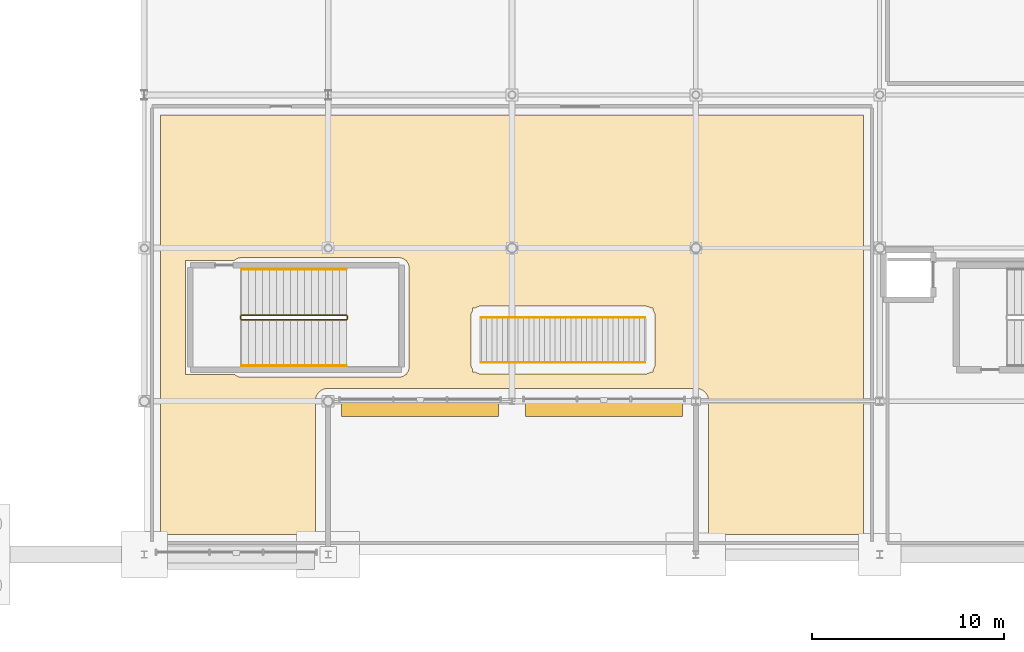
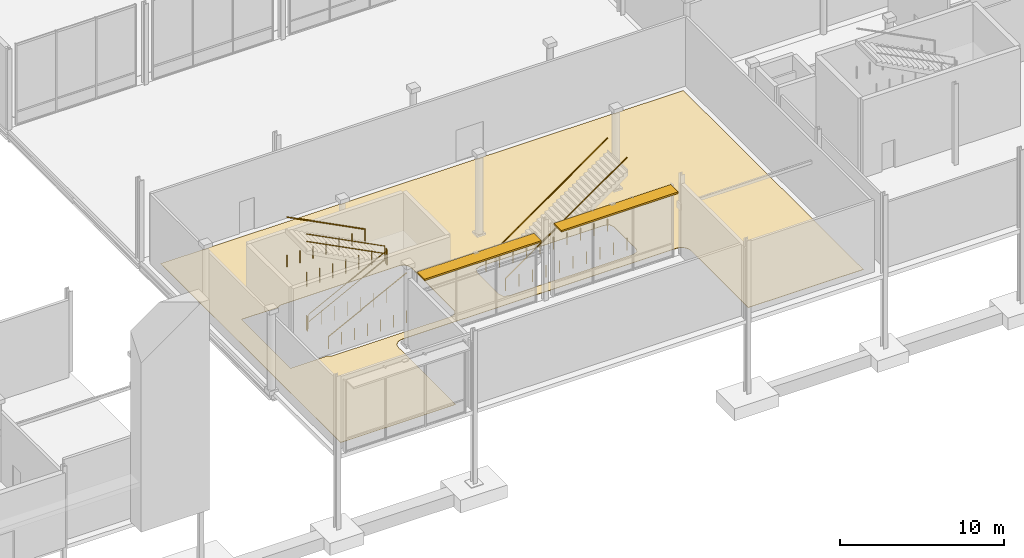
# One storey, part 114 of 124: 8 railings, 2 shading devices, 1 covering.
"""IFC4 building model written with IfcOpenShell, lengths in metres."""

from ifc_helpers import new_model, si_unit, direction, frame, origin, origin_2d, place, context, subcontext, project, spatial, polyline, rectangle, circle, outline, extrude, material, layer, layer_set, type_object, element, save


model = new_model("IFC4")

# Units and contexts
model_context = context("Model", 3, precision=1e-05, world=origin(), true_north=direction((0.0, 1.0)))
body_context = subcontext(model_context, "Body", "Model", "MODEL_VIEW")
ifc_project = project(units=[si_unit("LENGTHUNIT", "METRE"), si_unit("AREAUNIT", "SQUARE_METRE"), si_unit("VOLUMEUNIT", "CUBIC_METRE"), si_unit("PLANEANGLEUNIT", "RADIAN"), si_unit("MASSUNIT", "GRAM", prefix="KILO")], contexts=[model_context])

# Site, building, storey
site_placement = place(None, origin())
site = spatial("IfcSite", under=ifc_project, at=site_placement, CompositionType="ELEMENT")
building_placement = place(site_placement, origin())
building = spatial("IfcBuilding", under=site, at=building_placement, Name="Danafjord Basin Convention Centre", CompositionType="ELEMENT")
storey_placement = place(building_placement, origin())
storey = spatial("IfcBuildingStorey", under=building, at=storey_placement, Name="L00", CompositionType="ELEMENT", Elevation=0.0)

# Covering
ifc_material_1 = material(Name="Engineered Nordic white oak parquet")
ifc_layer = layer(ifc_material_1, 0.02490234375)
ifc_layer_set = layer_set([ifc_layer], Name="Engineered Nordic white oak parquet")
covering_type = type_object("IfcCoveringType", Name="COV-FLR-OAK01", PredefinedType="FLOORING", material=ifc_layer_set)
covering_placement = place(storey_placement, origin())
element("IfcCovering", 1, at=covering_placement, inside=storey, type_object=covering_type, Name="Harbourfront Brasserie and Delegate Cafe finish flooring", PredefinedType="FLOORING", context=body_context, shape_type="SweptSolid", body=[
    extrude(outline(polyline([(181.550048828125, 22.949951171875), (181.550048828125, 1.050048828125), (173.469970703125, 1.050048828125), (173.469970703125, 8.0), (173.469970703125, 8.02001953125), (173.468994140625, 8.0419921875), (173.464111328125, 8.0859375), (173.4609375, 8.10693359375), (173.4541015625, 8.14697265625), (173.448974609375, 8.16796875), (173.428955078125, 8.23095703125), (173.4208984375, 8.2509765625), (173.4130859375, 8.26904296875), (173.404052734375, 8.2890625), (173.3779296875, 8.339111328125), (173.366943359375, 8.35693359375), (173.347900390625, 8.385009765625), (173.3349609375, 8.403076171875), (173.30908203125, 8.43603515625), (173.294921875, 8.451904296875), (173.251953125, 8.4951171875), (173.236083984375, 8.509033203125), (173.202880859375, 8.534912109375), (173.18505859375, 8.548095703125), (173.156982421875, 8.56689453125), (173.138916015625, 8.577880859375), (173.089111328125, 8.60400390625), (173.069091796875, 8.613037109375), (173.051025390625, 8.62109375), (173.031005859375, 8.62890625), (172.968017578125, 8.64892578125), (172.947021484375, 8.654052734375), (172.906982421875, 8.660888671875), (172.885986328125, 8.6640625), (172.842041015625, 8.6689453125), (172.820068359375, 8.669921875), (172.800048828125, 8.669921875), (153.60009765625, 8.669921875), (153.580078125, 8.669921875), (153.55810546875, 8.6689453125), (153.513916015625, 8.6640625), (153.492919921875, 8.660888671875), (153.452880859375, 8.654052734375), (153.431884765625, 8.64892578125), (153.368896484375, 8.62890625), (153.34912109375, 8.62109375), (153.3310546875, 8.613037109375), (153.31103515625, 8.60400390625), (153.260986328125, 8.577880859375), (153.242919921875, 8.56689453125), (153.215087890625, 8.548095703125), (153.197021484375, 8.534912109375), (153.1640625, 8.509033203125), (153.14794921875, 8.4951171875), (153.10498046875, 8.451904296875), (153.091064453125, 8.43603515625), (153.06494140625, 8.403076171875), (153.052001953125, 8.385009765625), (153.032958984375, 8.35693359375), (153.02197265625, 8.339111328125), (152.99609375, 8.2890625), (152.987060546875, 8.26904296875), (152.97900390625, 8.2509765625), (152.970947265625, 8.23095703125), (152.950927734375, 8.16796875), (152.946044921875, 8.14697265625), (152.93896484375, 8.10693359375), (152.93603515625, 8.0859375), (152.930908203125, 8.0419921875), (152.929931640625, 8.02001953125), (152.929931640625, 8.0), (152.929931640625, 1.050048828125), (144.85009765625, 1.050048828125), (144.85009765625, 22.949951171875), (181.550048828125, 22.949951171875)]), holes=[polyline([(170.3349609375, 9.467041015625), (170.384033203125, 9.489990234375), (170.430908203125, 9.51806640625), (170.43994140625, 9.52490234375), (170.574951171875, 9.52490234375), (170.574951171875, 9.659912109375), (170.58203125, 9.6689453125), (170.610107421875, 9.716064453125), (170.633056640625, 9.764892578125), (170.65087890625, 9.81494140625), (170.6640625, 9.867919921875), (170.672119140625, 9.9208984375), (170.675048828125, 9.97509765625), (170.675048828125, 12.425048828125), (170.672119140625, 12.47900390625), (170.6640625, 12.531982421875), (170.65087890625, 12.5849609375), (170.633056640625, 12.635009765625), (170.610107421875, 12.68408203125), (170.58203125, 12.73095703125), (170.574951171875, 12.739990234375), (170.574951171875, 12.875), (170.43994140625, 12.875), (170.430908203125, 12.882080078125), (170.384033203125, 12.909912109375), (170.3349609375, 12.93310546875), (170.284912109375, 12.950927734375), (170.23193359375, 12.964111328125), (170.178955078125, 12.971923828125), (170.125, 12.97509765625), (161.60009765625, 12.97509765625), (161.5458984375, 12.971923828125), (161.492919921875, 12.964111328125), (161.43994140625, 12.950927734375), (161.389892578125, 12.93310546875), (161.341064453125, 12.909912109375), (161.2939453125, 12.882080078125), (161.284912109375, 12.875), (161.14990234375, 12.875), (161.14990234375, 12.739990234375), (161.14306640625, 12.73095703125), (161.114990234375, 12.68408203125), (161.092041015625, 12.635009765625), (161.073974609375, 12.5849609375), (161.06103515625, 12.531982421875), (161.052978515625, 12.47900390625), (161.050048828125, 12.425048828125), (161.050048828125, 9.97509765625), (161.052978515625, 9.9208984375), (161.06103515625, 9.867919921875), (161.073974609375, 9.81494140625), (161.092041015625, 9.764892578125), (161.114990234375, 9.716064453125), (161.14306640625, 9.6689453125), (161.14990234375, 9.659912109375), (161.14990234375, 9.52490234375), (161.284912109375, 9.52490234375), (161.2939453125, 9.51806640625), (161.341064453125, 9.489990234375), (161.389892578125, 9.467041015625), (161.43994140625, 9.448974609375), (161.492919921875, 9.43603515625), (161.5458984375, 9.427978515625), (161.60009765625, 9.425048828125), (170.125, 9.425048828125), (170.178955078125, 9.427978515625), (170.23193359375, 9.43603515625), (170.284912109375, 9.448974609375), (170.3349609375, 9.467041015625)]), polyline([(148.821044921875, 9.324951171875), (148.8701171875, 9.302001953125), (148.919921875, 9.283935546875), (148.972900390625, 9.27099609375), (149.02587890625, 9.262939453125), (149.080078125, 9.260009765625), (157.280029296875, 9.260009765625), (157.333984375, 9.262939453125), (157.386962890625, 9.27099609375), (157.43994140625, 9.283935546875), (157.489990234375, 9.302001953125), (157.5390625, 9.324951171875), (157.5859375, 9.35302734375), (157.62890625, 9.385009765625), (157.64599609375, 9.39990234375), (157.68994140625, 9.39990234375), (157.68994140625, 9.444091796875), (157.705078125, 9.4609375), (157.737060546875, 9.50390625), (157.764892578125, 9.551025390625), (157.7880859375, 9.60009765625), (157.805908203125, 9.64990234375), (157.819091796875, 9.702880859375), (157.826904296875, 9.756103515625), (157.830078125, 9.81005859375), (157.830078125, 14.949951171875), (157.826904296875, 15.00390625), (157.819091796875, 15.056884765625), (157.805908203125, 15.110107421875), (157.7880859375, 15.159912109375), (157.764892578125, 15.208984375), (157.737060546875, 15.256103515625), (157.705078125, 15.299072265625), (157.68994140625, 15.31591796875), (157.68994140625, 15.360107421875), (157.64599609375, 15.360107421875), (157.62890625, 15.375), (157.5859375, 15.406982421875), (157.5390625, 15.43505859375), (157.489990234375, 15.4580078125), (157.43994140625, 15.47607421875), (157.386962890625, 15.489013671875), (157.333984375, 15.4970703125), (157.280029296875, 15.5), (149.080078125, 15.5), (149.02587890625, 15.4970703125), (148.972900390625, 15.489013671875), (148.919921875, 15.47607421875), (148.8701171875, 15.4580078125), (148.821044921875, 15.43505859375), (148.77392578125, 15.406982421875), (148.73095703125, 15.375), (148.714111328125, 15.360107421875), (146.14990234375, 15.360107421875), (146.14990234375, 9.39990234375), (148.714111328125, 9.39990234375), (148.73095703125, 9.385009765625), (148.77392578125, 9.35302734375), (148.821044921875, 9.324951171875)])]), origin(), (0.0, 0.0, 1.0), 0.02490234375),
])

# Railings
ifc_material_2 = material(Name="Galvanised steel S355", Category="steel")
railing_type_1 = type_object("IfcRailingType", Name="RL-GD-WELL", PredefinedType="BALUSTRADE", material=ifc_material_2)
railing_1_placement = place(storey_placement, frame((149.080078125, 12.260009765625, 0.1875)))
element("IfcRailing", 2, at=railing_1_placement, inside=storey, type_object=railing_type_1, Name="L00 ST-16 stair guard 1", PredefinedType="BALUSTRADE", context=body_context, shape_type="SweptSolid", body=[
    extrude(circle(Radius=0.02392578125, at=origin_2d()), frame((0.0, 0.0, 1.076171875), z_axis=(0.889495128042, 0.0, 0.456944654405), x_axis=(0.0, 1.0, 0.0)), (0.0, 0.0, 1.0), 6.155029296875),
    extrude(circle(Radius=0.02392578125, at=origin_2d()), frame((0.0, 0.0, 0.52587890625), z_axis=(0.889495128042, 0.0, 0.456944654405), x_axis=(0.0, 1.0, 0.0)), (0.0, 0.0, 1.0), 6.155029296875),
    extrude(circle(Radius=0.02099609375, at=origin_2d()), origin(), (0.0, 0.0, 1.0), 1.050048828125),
    extrude(circle(Radius=0.02099609375, at=origin_2d()), frame((0.91259765625, 0.0, 0.0)), (0.0, 0.0, 1.0), 1.050048828125),
    extrude(circle(Radius=0.02099609375, at=origin_2d()), frame((1.824951171875, 0.0, 0.0)), (0.0, 0.0, 1.0), 1.050048828125),
    extrude(circle(Radius=0.02099609375, at=origin_2d()), frame((2.7373046875, 0.0, 0.0)), (0.0, 0.0, 1.0), 1.050048828125),
    extrude(circle(Radius=0.02099609375, at=origin_2d()), frame((3.64990234375, 0.0, 0.0)), (0.0, 0.0, 1.0), 1.050048828125),
    extrude(circle(Radius=0.02099609375, at=origin_2d()), frame((4.5625, 0.0, 0.0)), (0.0, 0.0, 1.0), 1.050048828125),
    extrude(circle(Radius=0.02099609375, at=origin_2d()), frame((5.474853515625, 0.0, 0.0)), (0.0, 0.0, 1.0), 1.050048828125),
])
railing_2_placement = place(storey_placement, frame((154.60498046875, 12.31005859375, 3.0)))
element("IfcRailing", 3, at=railing_2_placement, inside=storey, type_object=railing_type_1, Name="L00 ST-16 stair guard 2", PredefinedType="BALUSTRADE", context=body_context, shape_type="SweptSolid", body=[
    extrude(circle(Radius=0.02392578125, at=origin_2d()), frame((0.0, 0.0, 1.076171875), z_axis=(0.0, 1.0, 0.0), x_axis=(-1.0, 0.0, 0.0)), (0.0, 0.0, 1.0), 0.139892578125),
    extrude(circle(Radius=0.02392578125, at=origin_2d()), frame((0.0, 0.0, 0.52587890625), z_axis=(0.0, 1.0, 0.0), x_axis=(-1.0, 0.0, 0.0)), (0.0, 0.0, 1.0), 0.139892578125),
    extrude(circle(Radius=0.02099609375, at=origin_2d()), origin(), (0.0, 0.0, 1.0), 1.050048828125),
    extrude(circle(Radius=0.02099609375, at=origin_2d()), frame((0.0, 0.139892578125, 0.0)), (0.0, 0.0, 1.0), 1.050048828125),
])
railing_3_placement = place(storey_placement, frame((154.554931640625, 12.5, 3.1875)))
element("IfcRailing", 4, at=railing_3_placement, inside=storey, type_object=railing_type_1, Name="L00 ST-16 stair guard 3", PredefinedType="BALUSTRADE", context=body_context, shape_type="SweptSolid", body=[
    extrude(circle(Radius=0.02392578125, at=origin_2d()), frame((0.0, 0.0, 1.076171875), z_axis=(-0.889495128042, 0.0, 0.456944654405), x_axis=(0.0, -1.0, 0.0)), (0.0, 0.0, 1.0), 6.155029296875),
    extrude(circle(Radius=0.02392578125, at=origin_2d()), frame((0.0, 0.0, 0.52587890625), z_axis=(-0.889495128042, 0.0, 0.456944654405), x_axis=(0.0, -1.0, 0.0)), (0.0, 0.0, 1.0), 6.155029296875),
    extrude(circle(Radius=0.02099609375, at=origin_2d()), origin(), (0.0, 0.0, 1.0), 1.050048828125),
    extrude(circle(Radius=0.02099609375, at=origin_2d()), frame((-0.91259765625, 0.0, 0.0)), (0.0, 0.0, 1.0), 1.050048828125),
    extrude(circle(Radius=0.02099609375, at=origin_2d()), frame((-1.824951171875, 0.0, 0.0)), (0.0, 0.0, 1.0), 1.050048828125),
    extrude(circle(Radius=0.02099609375, at=origin_2d()), frame((-2.7373046875, 0.0, 0.0)), (0.0, 0.0, 1.0), 1.050048828125),
    extrude(circle(Radius=0.02099609375, at=origin_2d()), frame((-3.64990234375, 0.0, 0.0)), (0.0, 0.0, 1.0), 1.050048828125),
    extrude(circle(Radius=0.02099609375, at=origin_2d()), frame((-4.5625, 0.0, 0.0)), (0.0, 0.0, 1.0), 1.050048828125),
    extrude(circle(Radius=0.02099609375, at=origin_2d()), frame((-5.474853515625, 0.0, 0.0)), (0.0, 0.0, 1.0), 1.050048828125),
])
railing_4_placement = place(storey_placement, frame((149.030029296875, 12.31005859375, 0.0)))
element("IfcRailing", 5, at=railing_4_placement, inside=storey, type_object=railing_type_1, Name="L00 ST-16 stair guard 4", PredefinedType="BALUSTRADE", context=body_context, shape_type="SweptSolid", body=[
    extrude(circle(Radius=0.02392578125, at=origin_2d()), frame((0.0, 0.0, 1.076171875), z_axis=(0.0, 1.0, 0.0), x_axis=(-1.0, 0.0, 0.0)), (0.0, 0.0, 1.0), 0.139892578125),
    extrude(circle(Radius=0.02392578125, at=origin_2d()), frame((0.0, 0.0, 0.52587890625), z_axis=(0.0, 1.0, 0.0), x_axis=(-1.0, 0.0, 0.0)), (0.0, 0.0, 1.0), 0.139892578125),
    extrude(circle(Radius=0.02099609375, at=origin_2d()), origin(), (0.0, 0.0, 1.0), 1.050048828125),
    extrude(circle(Radius=0.02099609375, at=origin_2d()), frame((0.0, 0.139892578125, 0.0)), (0.0, 0.0, 1.0), 1.050048828125),
])
ifc_material_3 = material(Name="Brushed stainless steel EN 1.4404", Category="steel")
railing_type_2 = type_object("IfcRailingType", Name="RL-HR-STAIR", PredefinedType="HANDRAIL", material=ifc_material_3)
railing_5_placement = place(storey_placement, frame((149.080078125, 9.860107421875, 0.1875)))
element("IfcRailing", 6, at=railing_5_placement, inside=storey, type_object=railing_type_2, Name="L00 ST-16 stair handrail 1", PredefinedType="HANDRAIL", context=body_context, shape_type="SweptSolid", body=[
    extrude(circle(Radius=0.02392578125, at=origin_2d()), frame((0.0, 0.0, 0.8759765625), z_axis=(0.889495128042, 0.0, 0.456944654405), x_axis=(0.0, 1.0, 0.0)), (0.0, 0.0, 1.0), 6.155029296875),
    extrude(circle(Radius=0.02099609375, at=origin_2d()), origin(), (0.0, 0.0, 1.0), 0.849853515625),
    extrude(circle(Radius=0.02099609375, at=origin_2d()), frame((0.91259765625, 0.0, 0.0)), (0.0, 0.0, 1.0), 0.849853515625),
    extrude(circle(Radius=0.02099609375, at=origin_2d()), frame((1.824951171875, 0.0, 0.0)), (0.0, 0.0, 1.0), 0.849853515625),
    extrude(circle(Radius=0.02099609375, at=origin_2d()), frame((2.7373046875, 0.0, 0.0)), (0.0, 0.0, 1.0), 0.849853515625),
    extrude(circle(Radius=0.02099609375, at=origin_2d()), frame((3.64990234375, 0.0, 0.0)), (0.0, 0.0, 1.0), 0.849853515625),
    extrude(circle(Radius=0.02099609375, at=origin_2d()), frame((4.5625, 0.0, 0.0)), (0.0, 0.0, 1.0), 0.849853515625),
    extrude(circle(Radius=0.02099609375, at=origin_2d()), frame((5.474853515625, 0.0, 0.0)), (0.0, 0.0, 1.0), 0.849853515625),
])
railing_6_placement = place(storey_placement, frame((154.554931640625, 14.89990234375, 3.1875)))
element("IfcRailing", 7, at=railing_6_placement, inside=storey, type_object=railing_type_2, Name="L00 ST-16 stair handrail 2", PredefinedType="HANDRAIL", context=body_context, shape_type="SweptSolid", body=[
    extrude(circle(Radius=0.02392578125, at=origin_2d()), frame((0.0, 0.0, 0.8759765625), z_axis=(-0.889495128042, 0.0, 0.456944654405), x_axis=(0.0, -1.0, 0.0)), (0.0, 0.0, 1.0), 6.155029296875),
    extrude(circle(Radius=0.02099609375, at=origin_2d()), origin(), (0.0, 0.0, 1.0), 0.849853515625),
    extrude(circle(Radius=0.02099609375, at=origin_2d()), frame((-0.91259765625, 0.0, 0.0)), (0.0, 0.0, 1.0), 0.849853515625),
    extrude(circle(Radius=0.02099609375, at=origin_2d()), frame((-1.824951171875, 0.0, 0.0)), (0.0, 0.0, 1.0), 0.849853515625),
    extrude(circle(Radius=0.02099609375, at=origin_2d()), frame((-2.7373046875, 0.0, 0.0)), (0.0, 0.0, 1.0), 0.849853515625),
    extrude(circle(Radius=0.02099609375, at=origin_2d()), frame((-3.64990234375, 0.0, 0.0)), (0.0, 0.0, 1.0), 0.849853515625),
    extrude(circle(Radius=0.02099609375, at=origin_2d()), frame((-4.5625, 0.0, 0.0)), (0.0, 0.0, 1.0), 0.849853515625),
    extrude(circle(Radius=0.02099609375, at=origin_2d()), frame((-5.474853515625, 0.0, 0.0)), (0.0, 0.0, 1.0), 0.849853515625),
])
for number, where, name in (
    (8, (161.60009765625, 12.375, 0.0), "Harbour Brasserie Gallery Stair handrail L"),
    (9, (161.60009765625, 10.02490234375, 0.0), "Harbour Brasserie Gallery Stair handrail R"),
):
    element("IfcRailing", number, at=place(storey_placement, frame(where)), inside=storey, type_object=railing_type_2, Name=name, PredefinedType="HANDRAIL", context=body_context, shape_type="SweptSolid", body=[
        extrude(circle(Radius=0.02392578125, at=origin_2d()), frame((0.0, 0.0, 0.89599609375), z_axis=(0.817761511564, 0.0, 0.575557217143), x_axis=(0.0, 1.0, 0.0)), (0.0, 0.0, 1.0), 10.424560546875),
        extrude(circle(Radius=0.02099609375, at=origin_2d()), origin(), (0.0, 0.0, 1.0), 0.869873046875),
        extrude(circle(Radius=0.02099609375, at=origin_2d()), frame((0.947265625, 0.0, 0.0)), (0.0, 0.0, 1.0), 0.869873046875),
        extrude(circle(Radius=0.02099609375, at=origin_2d()), frame((1.89453125, 0.0, 0.0)), (0.0, 0.0, 1.0), 0.869873046875),
        extrude(circle(Radius=0.02099609375, at=origin_2d()), frame((2.841552734375, 0.0, 0.0)), (0.0, 0.0, 1.0), 0.869873046875),
        extrude(circle(Radius=0.02099609375, at=origin_2d()), frame((3.788818359375, 0.0, 0.0)), (0.0, 0.0, 1.0), 0.869873046875),
        extrude(circle(Radius=0.02099609375, at=origin_2d()), frame((4.736083984375, 0.0, 0.0)), (0.0, 0.0, 1.0), 0.869873046875),
        extrude(circle(Radius=0.02099609375, at=origin_2d()), frame((5.683349609375, 0.0, 0.0)), (0.0, 0.0, 1.0), 0.869873046875),
        extrude(circle(Radius=0.02099609375, at=origin_2d()), frame((6.63037109375, 0.0, 0.0)), (0.0, 0.0, 1.0), 0.869873046875),
        extrude(circle(Radius=0.02099609375, at=origin_2d()), frame((7.57763671875, 0.0, 0.0)), (0.0, 0.0, 1.0), 0.869873046875),
        extrude(circle(Radius=0.02099609375, at=origin_2d()), frame((8.52490234375, 0.0, 0.0)), (0.0, 0.0, 1.0), 0.869873046875),
    ])

# Shading devices
ifc_material_4 = material(Name="Anodised aluminium aerofoil sunshade", Category="aluminium")
shading_device_type = type_object("IfcShadingDeviceType", Name="SHD-SUN-A", PredefinedType="USERDEFINED", material=ifc_material_4)
for number, where, z_axis, x_axis, name in (
    (10, (158.39990234375, 7.659912109375, 4.97998046875), (0.0, 0.0, 1.0), (1.0, 0.0, 0.0), "L00 cantilevered harbour sunshade 25"),
    (11, (168.0, 7.659912109375, 5.22998046875), (0.0, 0.0, 1.0), (1.0, 0.0, 0.0), "L00 cantilevered harbour sunshade 26"),
):
    element("IfcShadingDevice", number, at=place(storey_placement, frame(where, z_axis=z_axis, x_axis=x_axis)), inside=storey, type_object=shading_device_type, Name=name, ObjectType="SUNSHADE", PredefinedType="USERDEFINED", context=body_context, shape_type="SweptSolid", body=[
        extrude(rectangle(XDim=8.199951171875, YDim=0.89990234375, at=origin_2d()), origin(), (0.0, 0.0, 1.0), 0.1201171875),
    ])

save(model, "model.ifc")
